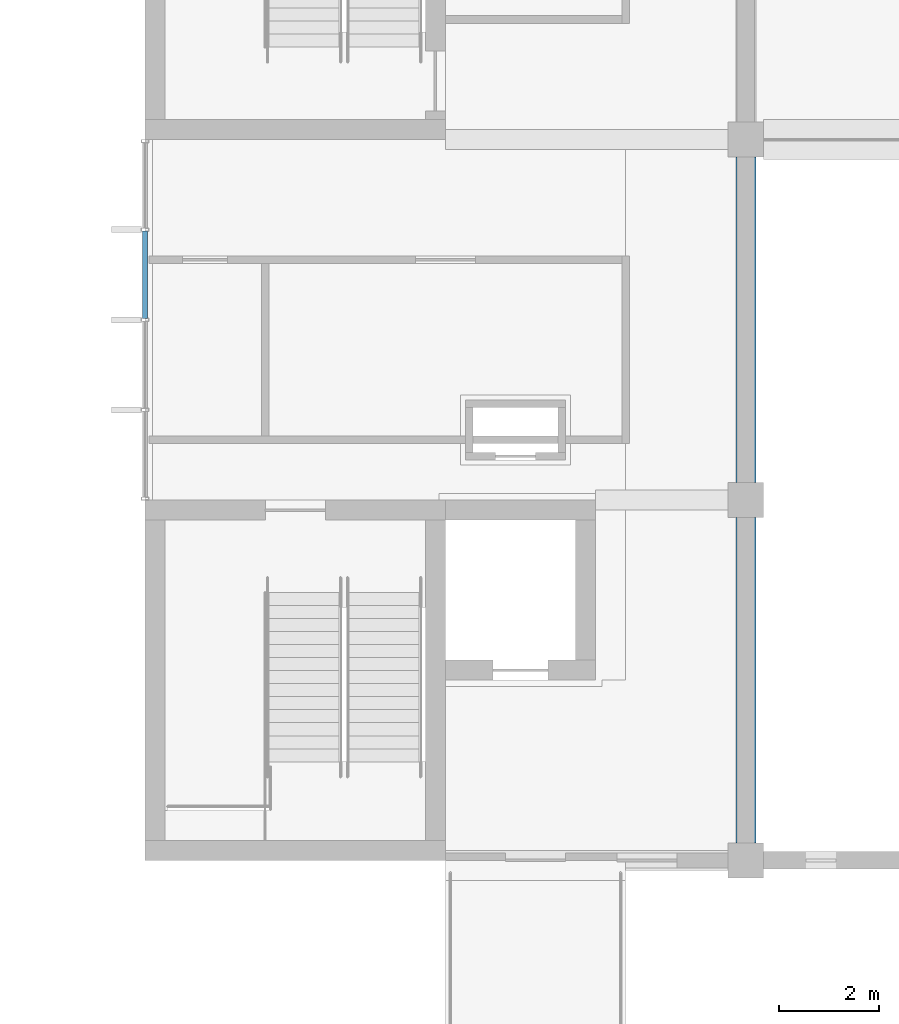
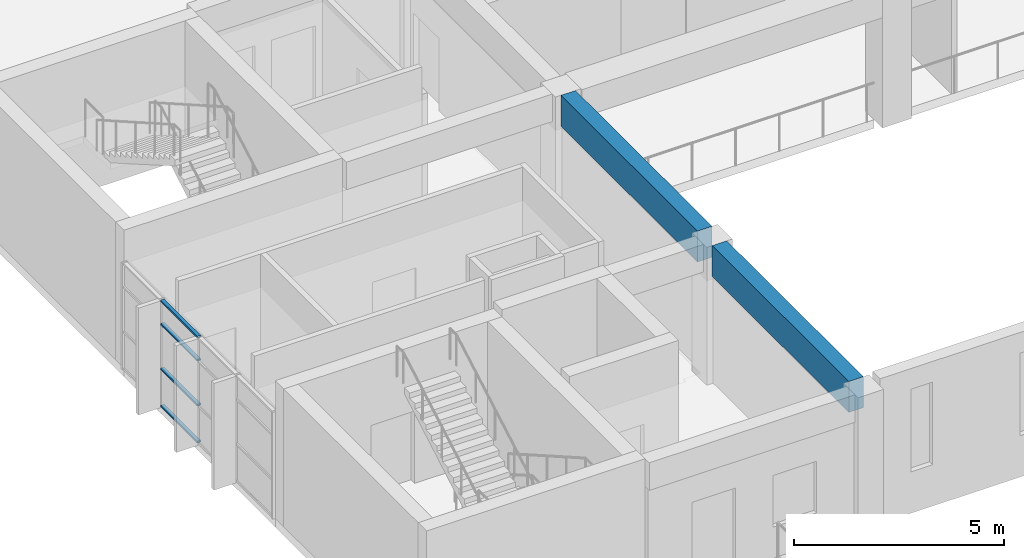
# One storey, part 34 of 101: 4 members, 2 beams, 1 element without a shape of its own.
"""IFC4 building model written with IfcOpenShell, lengths in metres."""

from ifc_helpers import new_model, si_unit, direction, frame, origin, origin_2d, place, context, subcontext, project, spatial, rectangle, hollow_rectangle, extrude, material, material_profile, profile_set, type_object, element, aggregate, save


model = new_model("IFC4")

# Units and contexts
model_context = context("Model", 3, precision=1e-05, world=origin(), true_north=direction((0.0, 1.0)))
body_context = subcontext(model_context, "Body", "Model", "MODEL_VIEW")
ifc_project = project(units=[si_unit("LENGTHUNIT", "METRE"), si_unit("AREAUNIT", "SQUARE_METRE"), si_unit("VOLUMEUNIT", "CUBIC_METRE"), si_unit("PLANEANGLEUNIT", "RADIAN"), si_unit("MASSUNIT", "GRAM", prefix="KILO")], contexts=[model_context])

# Site, building, storey
site_placement = place(None, origin())
site = spatial("IfcSite", under=ifc_project, at=site_placement, CompositionType="ELEMENT")
building_placement = place(site_placement, origin())
building = spatial("IfcBuilding", under=site, at=building_placement, Name="Laocheng Heights Fire and Rescue Headquarters", CompositionType="ELEMENT")
storey_placement = place(building_placement, frame((0.0, 0.0, 8.39990234375)))
storey = spatial("IfcBuildingStorey", under=building, at=storey_placement, Name="L02", CompositionType="ELEMENT", Elevation=8.39990234375)

# Curtain wall, members
ifc_material_1 = material(Name="Dark anodised aluminium unitised curtain wall, low-e double glazing", Category="aluminium")
curtain_wall_type = type_object("IfcCurtainWallType", Name="CW 7200 x 3100 FOYER GLAZING", PredefinedType="NOTDEFINED", material=ifc_material_1)
curtain_wall_placement = place(storey_placement, origin())
curtain_wall = element("IfcCurtainWall", 1, at=curtain_wall_placement, inside=storey, type_object=curtain_wall_type, Name="X3-V FOYER WEST L02", PredefinedType="NOTDEFINED")
ifc_material_2 = material(Name="Dark anodised aluminium 6063-T5 extrusion", Category="aluminium")
ifc_material_profile_1 = material_profile(ifc_material_2, hollow_rectangle(XDim=0.10009765625, YDim=0.050048828125, WallThickness=0.0029296875, at=origin_2d()), Name="AL TRANSOM 100x50x3 FOYER GLAZING")
ifc_profile_set_1 = profile_set([ifc_material_profile_1], Name="Dark anodised aluminium 6063-T5 extrusion")
member_type = type_object("IfcMemberType", Name="AL TRANSOM 100x50x3 FOYER GLAZING", PredefinedType="USERDEFINED", material=ifc_profile_set_1)
member_1_placement = place(storey_placement, frame((0.0, 46.830078125, 0.025146484375), z_axis=(0.0, 1.0, 0.0), x_axis=(-1.0, 0.0, 0.0)))
member_1 = element("IfcMember", 2, at=member_1_placement, type_object=member_type, Name="X3-V transom 3.1", ObjectType="TRANSOM", PredefinedType="USERDEFINED", context=body_context, shape_type="SweptSolid", body=[
    extrude(hollow_rectangle(XDim=0.10009765625, YDim=0.050048828125, WallThickness=0.0029296875, at=origin_2d()), origin(), (0.0, 0.0, 1.0), 1.739990234375),
])
member_2_placement = place(storey_placement, frame((0.0, 46.830078125, 1.10009765625), z_axis=(0.0, 1.0, 0.0), x_axis=(-1.0, 0.0, 0.0)))
member_2 = element("IfcMember", 3, at=member_2_placement, type_object=member_type, Name="X3-V transom 3.2", ObjectType="TRANSOM", PredefinedType="USERDEFINED", context=body_context, shape_type="SweptSolid", body=[
    extrude(hollow_rectangle(XDim=0.10009765625, YDim=0.050048828125, WallThickness=0.0029296875, at=origin_2d()), origin(), (0.0, 0.0, 1.0), 1.739990234375),
])
member_3_placement = place(storey_placement, frame((0.0, 46.830078125, 2.400146484375), z_axis=(0.0, 1.0, 0.0), x_axis=(-1.0, 0.0, 0.0)))
member_3 = element("IfcMember", 4, at=member_3_placement, type_object=member_type, Name="X3-V transom 3.3", ObjectType="TRANSOM", PredefinedType="USERDEFINED", context=body_context, shape_type="SweptSolid", body=[
    extrude(hollow_rectangle(XDim=0.10009765625, YDim=0.050048828125, WallThickness=0.0029296875, at=origin_2d()), origin(), (0.0, 0.0, 1.0), 1.739990234375),
])
member_4_placement = place(storey_placement, frame((0.0, 46.830078125, 3.0751953125), z_axis=(0.0, 1.0, 0.0), x_axis=(-1.0, 0.0, 0.0)))
member_4 = element("IfcMember", 5, at=member_4_placement, type_object=member_type, Name="X3-V transom 3.4", ObjectType="TRANSOM", PredefinedType="USERDEFINED", context=body_context, shape_type="SweptSolid", body=[
    extrude(hollow_rectangle(XDim=0.10009765625, YDim=0.050048828125, WallThickness=0.0029296875, at=origin_2d()), origin(), (0.0, 0.0, 1.0), 1.739990234375),
])
aggregate(curtain_wall, [member_1, member_2, member_3, member_4])

# Beams
ifc_material_3 = material(Name="Concrete C40", Category="concrete")
ifc_material_profile_2 = material_profile(ifc_material_3, rectangle(XDim=0.39990234375, YDim=0.89990234375, at=origin_2d()), Name="RC BEAM 400x900 FOYER")
ifc_profile_set_2 = profile_set([ifc_material_profile_2], Name="Concrete C40")
beam_type = type_object("IfcBeamType", Name="RC BEAM 400x900 FOYER", PredefinedType="BEAM", material=ifc_profile_set_2)
for number, where, z_axis, x_axis, name in (
    (6, (12.0, 36.35009765625, 3.550048828125), (0.0, 1.0, 0.0), (-1.0, 0.0, 0.0), "Foyer beam L02"),
    (7, (12.0, 43.550048828125, 3.550048828125), (0.0, 1.0, 0.0), (-1.0, 0.0, 0.0), "Foyer beam L02"),
):
    element("IfcBeam", number, at=place(storey_placement, frame(where, z_axis=z_axis, x_axis=x_axis)), inside=storey, type_object=beam_type, Name=name, PredefinedType="BEAM", context=body_context, shape_type="SweptSolid", body=[
        extrude(rectangle(XDim=0.39990234375, YDim=0.89990234375, at=origin_2d()), origin(), (0.0, 0.0, 1.0), 6.5),
    ])

save(model, "model.ifc")
